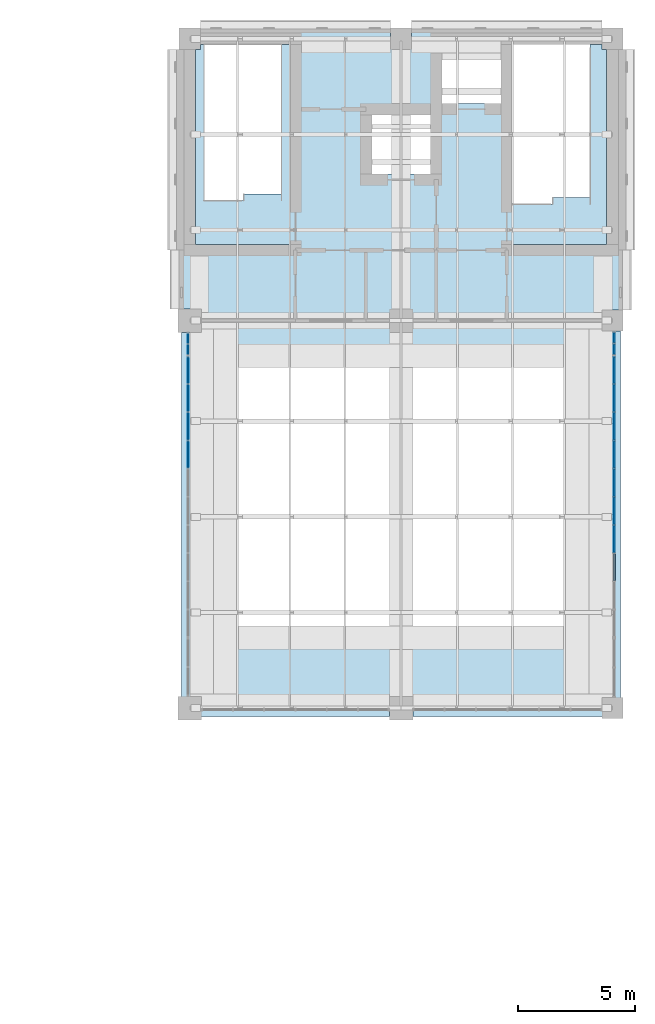
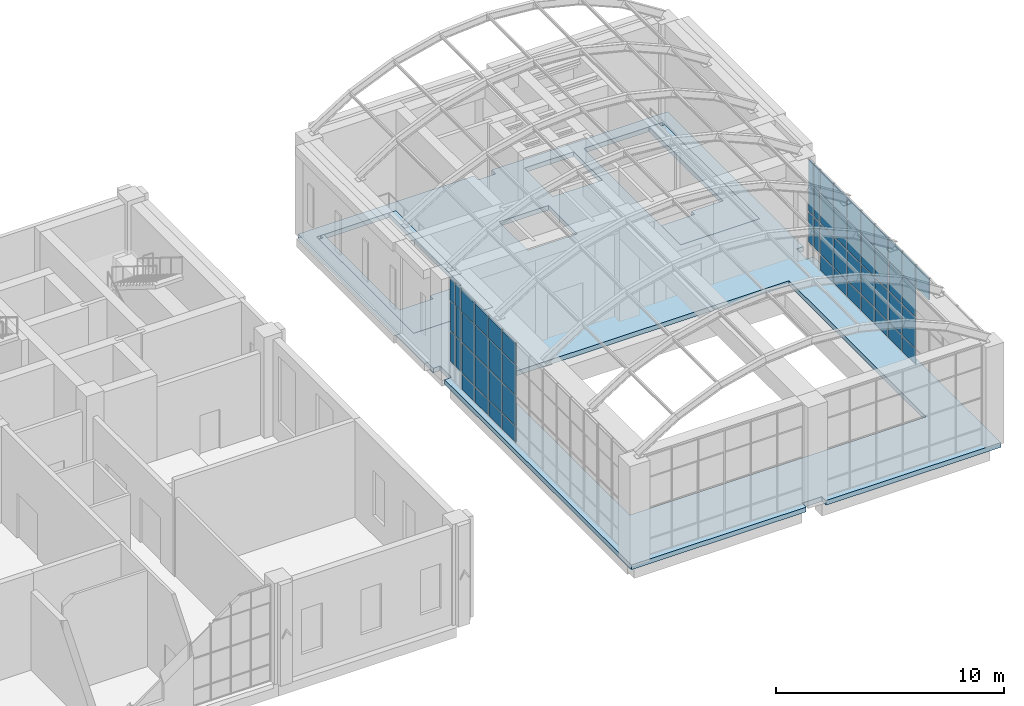
# One storey, part 21 of 39: 57 plates, 3 slabs, 4 elements without a shape of their own.
"""IFC4 building model written with IfcOpenShell, lengths in metres."""

from ifc_helpers import new_model, si_unit, direction, frame, origin, origin_2d, place, context, subcontext, project, spatial, polyline, rectangle, outline, extrude, material, layer, layer_set, type_object, element, aggregate, save


model = new_model("IFC4")

# Units and contexts
model_context = context("Model", 3, precision=1e-05, world=origin(), true_north=direction((0.0, 1.0)))
body_context = subcontext(model_context, "Body", "Model", "MODEL_VIEW")
ifc_project = project(units=[si_unit("LENGTHUNIT", "METRE"), si_unit("AREAUNIT", "SQUARE_METRE"), si_unit("VOLUMEUNIT", "CUBIC_METRE"), si_unit("PLANEANGLEUNIT", "RADIAN"), si_unit("MASSUNIT", "GRAM", prefix="KILO")], contexts=[model_context])

# Site, building, storey
site_placement = place(None, origin())
site = spatial("IfcSite", under=ifc_project, at=site_placement, CompositionType="ELEMENT")
building_placement = place(site_placement, origin())
building = spatial("IfcBuilding", under=site, at=building_placement, Name="Aurelan Courthouse", CompositionType="ELEMENT")
storey_placement = place(building_placement, frame((0.0, 0.0, 28.199951171875)))
storey = spatial("IfcBuildingStorey", under=building, at=storey_placement, Name="L05", CompositionType="ELEMENT", Elevation=28.199951171875)

# Curtain wall, plates
ifc_material_1 = material(Name="Bronze-finished aluminium and glass", Category="aluminium")
ifc_layer_1 = layer(ifc_material_1, 0.14990234375)
ifc_layer_set_1 = layer_set([ifc_layer_1], Name="Bronze-finished aluminium and glass")
curtain_wall_type_1 = type_object("IfcCurtainWallType", Name="Curtain wall 12000 x 5400", PredefinedType="NOTDEFINED", material=ifc_layer_set_1)
curtain_wall_1_placement = place(storey_placement, origin())
curtain_wall_1 = element("IfcCurtainWall", 1, at=curtain_wall_1_placement, inside=storey, type_object=curtain_wall_type_1, Name="Curtain wall CW-V3-L05-E02", PredefinedType="NOTDEFINED")
ifc_material_2 = material(Name="Bronze-finished aluminium", Category="aluminium")
ifc_layer_2 = layer(ifc_material_2, 0.070068359375)
ifc_layer_set_2 = layer_set([ifc_layer_2], Name="Bronze-finished aluminium")
plate_type_1 = type_object("IfcPlateType", Name="Bronze spandrel panel 70", PredefinedType="CURTAIN_PANEL", material=ifc_layer_set_2)
plate_1_placement = place(storey_placement, frame((90.074951171875, 43.5, 4.22998046875), z_axis=(0.0, 0.0, 1.0), x_axis=(0.0, 1.0, 0.0)))
plate_1 = element("IfcPlate", 2, at=plate_1_placement, type_object=plate_type_1, Name="CW-V3-L05-E02 spandrel panel 3.4", PredefinedType="CURTAIN_PANEL", context=body_context, shape_type="SweptSolid", body=[
    extrude(rectangle(XDim=1.139892578125, YDim=0.070068359375, at=origin_2d()), origin(), (0.0, 0.0, 1.0), 1.110107421875),
])
plate_2_placement = place(storey_placement, frame((90.074951171875, 44.699951171875, 4.22998046875), z_axis=(0.0, 0.0, 1.0), x_axis=(0.0, 1.0, 0.0)))
plate_2 = element("IfcPlate", 3, at=plate_2_placement, type_object=plate_type_1, Name="CW-V3-L05-E02 spandrel panel 4.4", PredefinedType="CURTAIN_PANEL", context=body_context, shape_type="SweptSolid", body=[
    extrude(rectangle(XDim=1.139892578125, YDim=0.070068359375, at=origin_2d()), origin(), (0.0, 0.0, 1.0), 1.110107421875),
])
plate_3_placement = place(storey_placement, frame((90.074951171875, 45.89990234375, 4.22998046875), z_axis=(0.0, 0.0, 1.0), x_axis=(0.0, 1.0, 0.0)))
plate_3 = element("IfcPlate", 4, at=plate_3_placement, type_object=plate_type_1, Name="CW-V3-L05-E02 spandrel panel 5.4", PredefinedType="CURTAIN_PANEL", context=body_context, shape_type="SweptSolid", body=[
    extrude(rectangle(XDim=1.139892578125, YDim=0.070068359375, at=origin_2d()), origin(), (0.0, 0.0, 1.0), 1.110107421875),
])
plate_4_placement = place(storey_placement, frame((90.074951171875, 47.10009765625, 4.22998046875), z_axis=(0.0, 0.0, 1.0), x_axis=(0.0, 1.0, 0.0)))
plate_4 = element("IfcPlate", 5, at=plate_4_placement, type_object=plate_type_1, Name="CW-V3-L05-E02 spandrel panel 6.4", PredefinedType="CURTAIN_PANEL", context=body_context, shape_type="SweptSolid", body=[
    extrude(rectangle(XDim=1.139892578125, YDim=0.070068359375, at=origin_2d()), origin(), (0.0, 0.0, 1.0), 1.110107421875),
])
plate_5_placement = place(storey_placement, frame((90.074951171875, 48.300048828125, 4.22998046875), z_axis=(0.0, 0.0, 1.0), x_axis=(0.0, 1.0, 0.0)))
plate_5 = element("IfcPlate", 6, at=plate_5_placement, type_object=plate_type_1, Name="CW-V3-L05-E02 spandrel panel 7.4", PredefinedType="CURTAIN_PANEL", context=body_context, shape_type="SweptSolid", body=[
    extrude(rectangle(XDim=1.139892578125, YDim=0.070068359375, at=origin_2d()), origin(), (0.0, 0.0, 1.0), 1.110107421875),
])
plate_6_placement = place(storey_placement, frame((90.074951171875, 49.5, 4.22998046875), z_axis=(0.0, 0.0, 1.0), x_axis=(0.0, 1.0, 0.0)))
plate_6 = element("IfcPlate", 7, at=plate_6_placement, type_object=plate_type_1, Name="CW-V3-L05-E02 spandrel panel 8.4", PredefinedType="CURTAIN_PANEL", context=body_context, shape_type="SweptSolid", body=[
    extrude(rectangle(XDim=1.139892578125, YDim=0.070068359375, at=origin_2d()), origin(), (0.0, 0.0, 1.0), 1.110107421875),
])
plate_7_placement = place(storey_placement, frame((90.074951171875, 50.699951171875, 4.22998046875), z_axis=(0.0, 0.0, 1.0), x_axis=(0.0, 1.0, 0.0)))
plate_7 = element("IfcPlate", 8, at=plate_7_placement, type_object=plate_type_1, Name="CW-V3-L05-E02 spandrel panel 9.4", PredefinedType="CURTAIN_PANEL", context=body_context, shape_type="SweptSolid", body=[
    extrude(rectangle(XDim=1.139892578125, YDim=0.070068359375, at=origin_2d()), origin(), (0.0, 0.0, 1.0), 1.110107421875),
])
plate_8_placement = place(storey_placement, frame((90.074951171875, 51.885009765625, 4.22998046875), z_axis=(0.0, 0.0, 1.0), x_axis=(0.0, 1.0, 0.0)))
plate_8 = element("IfcPlate", 9, at=plate_8_placement, type_object=plate_type_1, Name="CW-V3-L05-E02 spandrel panel 10.4", PredefinedType="CURTAIN_PANEL", context=body_context, shape_type="SweptSolid", body=[
    extrude(rectangle(XDim=1.110107421875, YDim=0.070068359375, at=origin_2d()), origin(), (0.0, 0.0, 1.0), 1.110107421875),
])

ifc_layer_3 = layer(ifc_material_1, 0.14990234375)
ifc_layer_set_3 = layer_set([ifc_layer_3], Name="Bronze-finished aluminium and glass")
curtain_wall_type_2 = type_object("IfcCurtainWallType", Name="Curtain wall 1050 x 5400", PredefinedType="NOTDEFINED", material=ifc_layer_set_3)
curtain_wall_2_placement = place(storey_placement, origin())
curtain_wall_2 = element("IfcCurtainWall", 10, at=curtain_wall_2_placement, inside=storey, type_object=curtain_wall_type_2, Name="Curtain wall CW-V3-L05-E03", PredefinedType="NOTDEFINED")
plate_9_placement = place(storey_placement, frame((90.074951171875, 52.777587890625, 4.22998046875), z_axis=(0.0, 0.0, 1.0), x_axis=(0.0, 1.0, 0.0)))
plate_9 = element("IfcPlate", 11, at=plate_9_placement, type_object=plate_type_1, Name="CW-V3-L05-E03 spandrel panel 1.4", PredefinedType="CURTAIN_PANEL", context=body_context, shape_type="SweptSolid", body=[
    extrude(rectangle(XDim=0.43505859375, YDim=0.070068359375, at=origin_2d()), origin(), (0.0, 0.0, 1.0), 1.110107421875),
])
plate_10_placement = place(storey_placement, frame((90.074951171875, 53.2724609375, 4.22998046875), z_axis=(0.0, 0.0, 1.0), x_axis=(0.0, 1.0, 0.0)))
plate_10 = element("IfcPlate", 12, at=plate_10_placement, type_object=plate_type_1, Name="CW-V3-L05-E03 spandrel panel 2.4", PredefinedType="CURTAIN_PANEL", context=body_context, shape_type="SweptSolid", body=[
    extrude(rectangle(XDim=0.43505859375, YDim=0.070068359375, at=origin_2d()), origin(), (0.0, 0.0, 1.0), 1.110107421875),
])

curtain_wall_3_placement = place(storey_placement, origin())
curtain_wall_3 = element("IfcCurtainWall", 13, at=curtain_wall_3_placement, inside=storey, type_object=curtain_wall_type_1, Name="Curtain wall CW-V3-L05-W02", PredefinedType="NOTDEFINED")
plate_11_placement = place(storey_placement, frame((71.925048828125, 48.300048828125, 4.22998046875), z_axis=(0.0, 0.0, 1.0), x_axis=(0.0, 1.0, 0.0)))
plate_11 = element("IfcPlate", 14, at=plate_11_placement, type_object=plate_type_1, Name="CW-V3-L05-W02 spandrel panel 7.4", PredefinedType="CURTAIN_PANEL", context=body_context, shape_type="SweptSolid", body=[
    extrude(rectangle(XDim=1.139892578125, YDim=0.070068359375, at=origin_2d()), origin(), (0.0, 0.0, 1.0), 1.110107421875),
])
plate_12_placement = place(storey_placement, frame((71.925048828125, 49.5, 4.22998046875), z_axis=(0.0, 0.0, 1.0), x_axis=(0.0, 1.0, 0.0)))
plate_12 = element("IfcPlate", 15, at=plate_12_placement, type_object=plate_type_1, Name="CW-V3-L05-W02 spandrel panel 8.4", PredefinedType="CURTAIN_PANEL", context=body_context, shape_type="SweptSolid", body=[
    extrude(rectangle(XDim=1.139892578125, YDim=0.070068359375, at=origin_2d()), origin(), (0.0, 0.0, 1.0), 1.110107421875),
])
plate_13_placement = place(storey_placement, frame((71.925048828125, 50.699951171875, 4.22998046875), z_axis=(0.0, 0.0, 1.0), x_axis=(0.0, 1.0, 0.0)))
plate_13 = element("IfcPlate", 16, at=plate_13_placement, type_object=plate_type_1, Name="CW-V3-L05-W02 spandrel panel 9.4", PredefinedType="CURTAIN_PANEL", context=body_context, shape_type="SweptSolid", body=[
    extrude(rectangle(XDim=1.139892578125, YDim=0.070068359375, at=origin_2d()), origin(), (0.0, 0.0, 1.0), 1.110107421875),
])
plate_14_placement = place(storey_placement, frame((71.925048828125, 51.885009765625, 4.22998046875), z_axis=(0.0, 0.0, 1.0), x_axis=(0.0, 1.0, 0.0)))
plate_14 = element("IfcPlate", 17, at=plate_14_placement, type_object=plate_type_1, Name="CW-V3-L05-W02 spandrel panel 10.4", PredefinedType="CURTAIN_PANEL", context=body_context, shape_type="SweptSolid", body=[
    extrude(rectangle(XDim=1.110107421875, YDim=0.070068359375, at=origin_2d()), origin(), (0.0, 0.0, 1.0), 1.110107421875),
])

ifc_layer_4 = layer(ifc_material_1, 0.14990234375)
ifc_layer_set_4 = layer_set([ifc_layer_4], Name="Bronze-finished aluminium and glass")
curtain_wall_type_3 = type_object("IfcCurtainWallType", Name="Curtain wall 1000 x 5400", PredefinedType="NOTDEFINED", material=ifc_layer_set_4)
curtain_wall_4_placement = place(storey_placement, origin())
curtain_wall_4 = element("IfcCurtainWall", 18, at=curtain_wall_4_placement, inside=storey, type_object=curtain_wall_type_3, Name="Curtain wall CW-V3-L05-W03", PredefinedType="NOTDEFINED")
plate_15_placement = place(storey_placement, frame((71.925048828125, 52.764892578125, 4.22998046875), z_axis=(0.0, 0.0, 1.0), x_axis=(0.0, 1.0, 0.0)))
plate_15 = element("IfcPlate", 19, at=plate_15_placement, type_object=plate_type_1, Name="CW-V3-L05-W03 spandrel panel 1.4", PredefinedType="CURTAIN_PANEL", context=body_context, shape_type="SweptSolid", body=[
    extrude(rectangle(XDim=0.409912109375, YDim=0.070068359375, at=origin_2d()), origin(), (0.0, 0.0, 1.0), 1.110107421875),
])
plate_16_placement = place(storey_placement, frame((71.925048828125, 53.235107421875, 4.22998046875), z_axis=(0.0, 0.0, 1.0), x_axis=(0.0, 1.0, 0.0)))
plate_16 = element("IfcPlate", 20, at=plate_16_placement, type_object=plate_type_1, Name="CW-V3-L05-W03 spandrel panel 2.4", PredefinedType="CURTAIN_PANEL", context=body_context, shape_type="SweptSolid", body=[
    extrude(rectangle(XDim=0.409912109375, YDim=0.070068359375, at=origin_2d()), origin(), (0.0, 0.0, 1.0), 1.110107421875),
])

# Slab
ifc_material_3 = material(Name="Concrete C40", Category="concrete")
ifc_layer_5 = layer(ifc_material_3, 0.25)
ifc_layer_set_5 = layer_set([ifc_layer_5], Name="Concrete C40")
slab_type_1 = type_object("IfcSlabType", Name="PT floor slab 250", PredefinedType="FLOOR", material=ifc_layer_set_5)
slab_1_placement = place(storey_placement, frame((0.0, 0.0, -0.25)))
element("IfcSlab", 21, at=slab_1_placement, inside=storey, type_object=slab_type_1, Name="Floor slab SL-L05-02", PredefinedType="FLOOR", context=body_context, shape_type="SweptSolid", body=[
    extrude(outline(polyline([(72.0, 53.5), (71.64990234375, 53.5), (71.64990234375, 38.0), (71.64990234375, 37.14990234375), (72.5, 37.14990234375), (80.5, 37.14990234375), (80.5, 37.5), (81.5, 37.5), (81.5, 37.14990234375), (89.550048828125, 37.14990234375), (90.35009765625, 37.14990234375), (90.35009765625, 37.949951171875), (90.35009765625, 53.550048828125), (90.0, 53.550048828125), (90.0, 54.449951171875), (90.35009765625, 54.449951171875), (90.35009765625, 65.550048828125), (90.35009765625, 66.35009765625), (89.550048828125, 66.35009765625), (81.449951171875, 66.35009765625), (81.449951171875, 66.0), (80.550048828125, 66.0), (80.550048828125, 66.35009765625), (72.449951171875, 66.35009765625), (71.64990234375, 66.35009765625), (71.64990234375, 65.550048828125), (71.64990234375, 54.5), (72.0, 54.5), (72.0, 53.5)]), holes=[polyline([(85.75, 57.25), (85.75, 65.75), (89.75, 65.75), (89.75, 57.25), (85.75, 57.25)]), polyline([(73.5, 40.5), (73.5, 52.5), (88.5, 52.5), (88.5, 40.5), (73.5, 40.5)]), polyline([(82.75, 65.75), (85.25, 65.75), (85.25, 63.25), (82.75, 63.25), (82.75, 65.75)]), polyline([(82.25, 62.75), (82.25, 60.25), (79.75, 60.25), (79.75, 62.75), (82.25, 62.75)]), polyline([(76.25, 57.25), (72.25, 57.25), (72.25, 65.75), (76.25, 65.75), (76.25, 57.25)])]), origin(), (0.0, 0.0, 1.0), 0.25),
])

# Plate
ifc_layer_6 = layer(ifc_material_2, 0.0400390625)
ifc_layer_set_6 = layer_set([ifc_layer_6], Name="Bronze-finished aluminium")
plate_type_2 = type_object("IfcPlateType", Name="Sill panel 40", PredefinedType="CURTAIN_PANEL", material=ifc_layer_set_6)
plate_17_placement = place(storey_placement, frame((90.074951171875, 44.699951171875, 0.06005859375), z_axis=(0.0, 0.0, 1.0), x_axis=(0.0, 1.0, 0.0)))
plate_17 = element("IfcPlate", 22, at=plate_17_placement, type_object=plate_type_2, Name="CW-V3-L05-E02 sill panel 4.1", PredefinedType="CURTAIN_PANEL", context=body_context, shape_type="SweptSolid", body=[
    extrude(rectangle(XDim=1.139892578125, YDim=0.0400390625, at=origin_2d()), origin(), (0.0, 0.0, 1.0), 0.81005859375),
])

plate_18_placement = place(storey_placement, frame((90.074951171875, 45.89990234375, 0.06005859375), z_axis=(0.0, 0.0, 1.0), x_axis=(0.0, 1.0, 0.0)))
plate_18 = element("IfcPlate", 23, at=plate_18_placement, type_object=plate_type_2, Name="CW-V3-L05-E02 sill panel 5.1", PredefinedType="CURTAIN_PANEL", context=body_context, shape_type="SweptSolid", body=[
    extrude(rectangle(XDim=1.139892578125, YDim=0.0400390625, at=origin_2d()), origin(), (0.0, 0.0, 1.0), 0.81005859375),
])

plate_19_placement = place(storey_placement, frame((90.074951171875, 47.10009765625, 0.06005859375), z_axis=(0.0, 0.0, 1.0), x_axis=(0.0, 1.0, 0.0)))
plate_19 = element("IfcPlate", 24, at=plate_19_placement, type_object=plate_type_2, Name="CW-V3-L05-E02 sill panel 6.1", PredefinedType="CURTAIN_PANEL", context=body_context, shape_type="SweptSolid", body=[
    extrude(rectangle(XDim=1.139892578125, YDim=0.0400390625, at=origin_2d()), origin(), (0.0, 0.0, 1.0), 0.81005859375),
])

plate_20_placement = place(storey_placement, frame((90.074951171875, 48.300048828125, 0.06005859375), z_axis=(0.0, 0.0, 1.0), x_axis=(0.0, 1.0, 0.0)))
plate_20 = element("IfcPlate", 25, at=plate_20_placement, type_object=plate_type_2, Name="CW-V3-L05-E02 sill panel 7.1", PredefinedType="CURTAIN_PANEL", context=body_context, shape_type="SweptSolid", body=[
    extrude(rectangle(XDim=1.139892578125, YDim=0.0400390625, at=origin_2d()), origin(), (0.0, 0.0, 1.0), 0.81005859375),
])

plate_21_placement = place(storey_placement, frame((90.074951171875, 49.5, 0.06005859375), z_axis=(0.0, 0.0, 1.0), x_axis=(0.0, 1.0, 0.0)))
plate_21 = element("IfcPlate", 26, at=plate_21_placement, type_object=plate_type_2, Name="CW-V3-L05-E02 sill panel 8.1", PredefinedType="CURTAIN_PANEL", context=body_context, shape_type="SweptSolid", body=[
    extrude(rectangle(XDim=1.139892578125, YDim=0.0400390625, at=origin_2d()), origin(), (0.0, 0.0, 1.0), 0.81005859375),
])

plate_22_placement = place(storey_placement, frame((90.074951171875, 50.699951171875, 0.06005859375), z_axis=(0.0, 0.0, 1.0), x_axis=(0.0, 1.0, 0.0)))
plate_22 = element("IfcPlate", 27, at=plate_22_placement, type_object=plate_type_2, Name="CW-V3-L05-E02 sill panel 9.1", PredefinedType="CURTAIN_PANEL", context=body_context, shape_type="SweptSolid", body=[
    extrude(rectangle(XDim=1.139892578125, YDim=0.0400390625, at=origin_2d()), origin(), (0.0, 0.0, 1.0), 0.81005859375),
])

plate_23_placement = place(storey_placement, frame((90.074951171875, 51.885009765625, 0.06005859375), z_axis=(0.0, 0.0, 1.0), x_axis=(0.0, 1.0, 0.0)))
plate_23 = element("IfcPlate", 28, at=plate_23_placement, type_object=plate_type_2, Name="CW-V3-L05-E02 sill panel 10.1", PredefinedType="CURTAIN_PANEL", context=body_context, shape_type="SweptSolid", body=[
    extrude(rectangle(XDim=1.110107421875, YDim=0.0400390625, at=origin_2d()), origin(), (0.0, 0.0, 1.0), 0.81005859375),
])

plate_24_placement = place(storey_placement, frame((71.925048828125, 48.300048828125, 0.06005859375), z_axis=(0.0, 0.0, 1.0), x_axis=(0.0, 1.0, 0.0)))
plate_24 = element("IfcPlate", 29, at=plate_24_placement, type_object=plate_type_2, Name="CW-V3-L05-W02 sill panel 7.1", PredefinedType="CURTAIN_PANEL", context=body_context, shape_type="SweptSolid", body=[
    extrude(rectangle(XDim=1.139892578125, YDim=0.0400390625, at=origin_2d()), origin(), (0.0, 0.0, 1.0), 0.81005859375),
])

plate_25_placement = place(storey_placement, frame((71.925048828125, 49.5, 0.06005859375), z_axis=(0.0, 0.0, 1.0), x_axis=(0.0, 1.0, 0.0)))
plate_25 = element("IfcPlate", 30, at=plate_25_placement, type_object=plate_type_2, Name="CW-V3-L05-W02 sill panel 8.1", PredefinedType="CURTAIN_PANEL", context=body_context, shape_type="SweptSolid", body=[
    extrude(rectangle(XDim=1.139892578125, YDim=0.0400390625, at=origin_2d()), origin(), (0.0, 0.0, 1.0), 0.81005859375),
])

plate_26_placement = place(storey_placement, frame((71.925048828125, 50.699951171875, 0.06005859375), z_axis=(0.0, 0.0, 1.0), x_axis=(0.0, 1.0, 0.0)))
plate_26 = element("IfcPlate", 31, at=plate_26_placement, type_object=plate_type_2, Name="CW-V3-L05-W02 sill panel 9.1", PredefinedType="CURTAIN_PANEL", context=body_context, shape_type="SweptSolid", body=[
    extrude(rectangle(XDim=1.139892578125, YDim=0.0400390625, at=origin_2d()), origin(), (0.0, 0.0, 1.0), 0.81005859375),
])

plate_27_placement = place(storey_placement, frame((71.925048828125, 51.885009765625, 0.06005859375), z_axis=(0.0, 0.0, 1.0), x_axis=(0.0, 1.0, 0.0)))
plate_27 = element("IfcPlate", 32, at=plate_27_placement, type_object=plate_type_2, Name="CW-V3-L05-W02 sill panel 10.1", PredefinedType="CURTAIN_PANEL", context=body_context, shape_type="SweptSolid", body=[
    extrude(rectangle(XDim=1.110107421875, YDim=0.0400390625, at=origin_2d()), origin(), (0.0, 0.0, 1.0), 0.81005859375),
])

# Slabs
ifc_material_4 = material(Name="Concrete C30", Category="concrete")
ifc_layer_7 = layer(ifc_material_4, 0.25)
ifc_layer_set_7 = layer_set([ifc_layer_7], Name="Concrete C30")
slab_type_2 = type_object("IfcSlabType", Name="Stair floor landing 250 thick", PredefinedType="LANDING", material=ifc_layer_set_7)
slab_2_placement = place(storey_placement, frame((0.0, 0.0, -0.25)))
element("IfcSlab", 33, at=slab_2_placement, inside=storey, type_object=slab_type_2, Name="Stair ST-3A landing L05", PredefinedType="LANDING", context=body_context, shape_type="SweptSolid", body=[
    extrude(outline(polyline([(72.60009765625, 59.111083984375), (74.300048828125, 59.111083984375), (74.300048828125, 59.39111328125), (75.89990234375, 59.39111328125), (75.89990234375, 65.75), (76.25, 65.75), (76.25, 57.25), (72.25, 57.25), (72.25, 65.550048828125), (72.449951171875, 65.550048828125), (72.449951171875, 65.75), (72.60009765625, 65.75), (72.60009765625, 59.111083984375)])), origin(), (0.0, 0.0, 1.0), 0.25),
])
slab_3_placement = place(storey_placement, frame((0.0, 0.0, -0.25)))
element("IfcSlab", 34, at=slab_3_placement, inside=storey, type_object=slab_type_2, Name="Stair ST-3B landing L05", PredefinedType="LANDING", context=body_context, shape_type="SweptSolid", body=[
    extrude(outline(polyline([(89.050048828125, 59.240966796875), (89.050048828125, 65.590087890625), (89.050048828125, 65.60009765625), (89.050048828125, 65.75), (89.550048828125, 65.75), (89.550048828125, 65.550048828125), (89.75, 65.550048828125), (89.75, 57.25), (89.60009765625, 57.25), (89.590087890625, 57.25), (85.75, 57.25), (85.75, 58.9609375), (87.449951171875, 58.9609375), (87.449951171875, 59.240966796875), (89.050048828125, 59.240966796875)])), origin(), (0.0, 0.0, 1.0), 0.25),
])

# Plate
ifc_material_5 = material(Name="Laminated low-emissivity glass", Category="glass")
ifc_layer_8 = layer(ifc_material_5, 0.031982421875)
ifc_layer_set_8 = layer_set([ifc_layer_8], Name="Laminated low-emissivity glass")
plate_type_3 = type_object("IfcPlateType", Name="Vision glass panel 32", PredefinedType="CURTAIN_PANEL", material=ifc_layer_set_8)
plate_28_placement = place(storey_placement, frame((90.074951171875, 44.699951171875, 0.93017578125), z_axis=(0.0, 0.0, 1.0), x_axis=(0.0, 1.0, 0.0)))
plate_28 = element("IfcPlate", 35, at=plate_28_placement, type_object=plate_type_3, Name="CW-V3-L05-E02 vision panel 4.2", PredefinedType="CURTAIN_PANEL", context=body_context, shape_type="SweptSolid", body=[
    extrude(rectangle(XDim=1.139892578125, YDim=0.031982421875, at=origin_2d()), origin(), (0.0, 0.0, 1.0), 1.590087890625),
])

plate_29_placement = place(storey_placement, frame((90.074951171875, 44.699951171875, 2.580078125), z_axis=(0.0, 0.0, 1.0), x_axis=(0.0, 1.0, 0.0)))
plate_29 = element("IfcPlate", 36, at=plate_29_placement, type_object=plate_type_3, Name="CW-V3-L05-E02 vision panel 4.3", PredefinedType="CURTAIN_PANEL", context=body_context, shape_type="SweptSolid", body=[
    extrude(rectangle(XDim=1.139892578125, YDim=0.031982421875, at=origin_2d()), origin(), (0.0, 0.0, 1.0), 1.590087890625),
])

plate_30_placement = place(storey_placement, frame((90.074951171875, 45.89990234375, 0.93017578125), z_axis=(0.0, 0.0, 1.0), x_axis=(0.0, 1.0, 0.0)))
plate_30 = element("IfcPlate", 37, at=plate_30_placement, type_object=plate_type_3, Name="CW-V3-L05-E02 vision panel 5.2", PredefinedType="CURTAIN_PANEL", context=body_context, shape_type="SweptSolid", body=[
    extrude(rectangle(XDim=1.139892578125, YDim=0.031982421875, at=origin_2d()), origin(), (0.0, 0.0, 1.0), 1.590087890625),
])

plate_31_placement = place(storey_placement, frame((90.074951171875, 45.89990234375, 2.580078125), z_axis=(0.0, 0.0, 1.0), x_axis=(0.0, 1.0, 0.0)))
plate_31 = element("IfcPlate", 38, at=plate_31_placement, type_object=plate_type_3, Name="CW-V3-L05-E02 vision panel 5.3", PredefinedType="CURTAIN_PANEL", context=body_context, shape_type="SweptSolid", body=[
    extrude(rectangle(XDim=1.139892578125, YDim=0.031982421875, at=origin_2d()), origin(), (0.0, 0.0, 1.0), 1.590087890625),
])

plate_32_placement = place(storey_placement, frame((90.074951171875, 47.10009765625, 0.93017578125), z_axis=(0.0, 0.0, 1.0), x_axis=(0.0, 1.0, 0.0)))
plate_32 = element("IfcPlate", 39, at=plate_32_placement, type_object=plate_type_3, Name="CW-V3-L05-E02 vision panel 6.2", PredefinedType="CURTAIN_PANEL", context=body_context, shape_type="SweptSolid", body=[
    extrude(rectangle(XDim=1.139892578125, YDim=0.031982421875, at=origin_2d()), origin(), (0.0, 0.0, 1.0), 1.590087890625),
])

plate_33_placement = place(storey_placement, frame((90.074951171875, 47.10009765625, 2.580078125), z_axis=(0.0, 0.0, 1.0), x_axis=(0.0, 1.0, 0.0)))
plate_33 = element("IfcPlate", 40, at=plate_33_placement, type_object=plate_type_3, Name="CW-V3-L05-E02 vision panel 6.3", PredefinedType="CURTAIN_PANEL", context=body_context, shape_type="SweptSolid", body=[
    extrude(rectangle(XDim=1.139892578125, YDim=0.031982421875, at=origin_2d()), origin(), (0.0, 0.0, 1.0), 1.590087890625),
])

plate_34_placement = place(storey_placement, frame((90.074951171875, 48.300048828125, 0.93017578125), z_axis=(0.0, 0.0, 1.0), x_axis=(0.0, 1.0, 0.0)))
plate_34 = element("IfcPlate", 41, at=plate_34_placement, type_object=plate_type_3, Name="CW-V3-L05-E02 vision panel 7.2", PredefinedType="CURTAIN_PANEL", context=body_context, shape_type="SweptSolid", body=[
    extrude(rectangle(XDim=1.139892578125, YDim=0.031982421875, at=origin_2d()), origin(), (0.0, 0.0, 1.0), 1.590087890625),
])

plate_35_placement = place(storey_placement, frame((90.074951171875, 48.300048828125, 2.580078125), z_axis=(0.0, 0.0, 1.0), x_axis=(0.0, 1.0, 0.0)))
plate_35 = element("IfcPlate", 42, at=plate_35_placement, type_object=plate_type_3, Name="CW-V3-L05-E02 vision panel 7.3", PredefinedType="CURTAIN_PANEL", context=body_context, shape_type="SweptSolid", body=[
    extrude(rectangle(XDim=1.139892578125, YDim=0.031982421875, at=origin_2d()), origin(), (0.0, 0.0, 1.0), 1.590087890625),
])

plate_36_placement = place(storey_placement, frame((90.074951171875, 49.5, 0.93017578125), z_axis=(0.0, 0.0, 1.0), x_axis=(0.0, 1.0, 0.0)))
plate_36 = element("IfcPlate", 43, at=plate_36_placement, type_object=plate_type_3, Name="CW-V3-L05-E02 vision panel 8.2", PredefinedType="CURTAIN_PANEL", context=body_context, shape_type="SweptSolid", body=[
    extrude(rectangle(XDim=1.139892578125, YDim=0.031982421875, at=origin_2d()), origin(), (0.0, 0.0, 1.0), 1.590087890625),
])

plate_37_placement = place(storey_placement, frame((90.074951171875, 49.5, 2.580078125), z_axis=(0.0, 0.0, 1.0), x_axis=(0.0, 1.0, 0.0)))
plate_37 = element("IfcPlate", 44, at=plate_37_placement, type_object=plate_type_3, Name="CW-V3-L05-E02 vision panel 8.3", PredefinedType="CURTAIN_PANEL", context=body_context, shape_type="SweptSolid", body=[
    extrude(rectangle(XDim=1.139892578125, YDim=0.031982421875, at=origin_2d()), origin(), (0.0, 0.0, 1.0), 1.590087890625),
])

plate_38_placement = place(storey_placement, frame((90.074951171875, 50.699951171875, 0.93017578125), z_axis=(0.0, 0.0, 1.0), x_axis=(0.0, 1.0, 0.0)))
plate_38 = element("IfcPlate", 45, at=plate_38_placement, type_object=plate_type_3, Name="CW-V3-L05-E02 vision panel 9.2", PredefinedType="CURTAIN_PANEL", context=body_context, shape_type="SweptSolid", body=[
    extrude(rectangle(XDim=1.139892578125, YDim=0.031982421875, at=origin_2d()), origin(), (0.0, 0.0, 1.0), 1.590087890625),
])

plate_39_placement = place(storey_placement, frame((90.074951171875, 50.699951171875, 2.580078125), z_axis=(0.0, 0.0, 1.0), x_axis=(0.0, 1.0, 0.0)))
plate_39 = element("IfcPlate", 46, at=plate_39_placement, type_object=plate_type_3, Name="CW-V3-L05-E02 vision panel 9.3", PredefinedType="CURTAIN_PANEL", context=body_context, shape_type="SweptSolid", body=[
    extrude(rectangle(XDim=1.139892578125, YDim=0.031982421875, at=origin_2d()), origin(), (0.0, 0.0, 1.0), 1.590087890625),
])

plate_40_placement = place(storey_placement, frame((90.074951171875, 51.885009765625, 0.93017578125), z_axis=(0.0, 0.0, 1.0), x_axis=(0.0, 1.0, 0.0)))
plate_40 = element("IfcPlate", 47, at=plate_40_placement, type_object=plate_type_3, Name="CW-V3-L05-E02 vision panel 10.2", PredefinedType="CURTAIN_PANEL", context=body_context, shape_type="SweptSolid", body=[
    extrude(rectangle(XDim=1.110107421875, YDim=0.031982421875, at=origin_2d()), origin(), (0.0, 0.0, 1.0), 1.590087890625),
])

plate_41_placement = place(storey_placement, frame((90.074951171875, 51.885009765625, 2.580078125), z_axis=(0.0, 0.0, 1.0), x_axis=(0.0, 1.0, 0.0)))
plate_41 = element("IfcPlate", 48, at=plate_41_placement, type_object=plate_type_3, Name="CW-V3-L05-E02 vision panel 10.3", PredefinedType="CURTAIN_PANEL", context=body_context, shape_type="SweptSolid", body=[
    extrude(rectangle(XDim=1.110107421875, YDim=0.031982421875, at=origin_2d()), origin(), (0.0, 0.0, 1.0), 1.590087890625),
])

aggregate(curtain_wall_1, [plate_1, plate_17, plate_28, plate_29, plate_2, plate_18, plate_30, plate_31, plate_3, plate_19, plate_32, plate_33, plate_4, plate_20, plate_34, plate_35, plate_5, plate_21, plate_36, plate_37, plate_6, plate_22, plate_38, plate_39, plate_7, plate_23, plate_40, plate_41, plate_8])

plate_42_placement = place(storey_placement, frame((90.074951171875, 52.777587890625, 0.93017578125), z_axis=(0.0, 0.0, 1.0), x_axis=(0.0, 1.0, 0.0)))
plate_42 = element("IfcPlate", 49, at=plate_42_placement, type_object=plate_type_3, Name="CW-V3-L05-E03 vision panel 1.2", PredefinedType="CURTAIN_PANEL", context=body_context, shape_type="SweptSolid", body=[
    extrude(rectangle(XDim=0.43505859375, YDim=0.031982421875, at=origin_2d()), origin(), (0.0, 0.0, 1.0), 1.590087890625),
])

plate_43_placement = place(storey_placement, frame((90.074951171875, 52.777587890625, 2.580078125), z_axis=(0.0, 0.0, 1.0), x_axis=(0.0, 1.0, 0.0)))
plate_43 = element("IfcPlate", 50, at=plate_43_placement, type_object=plate_type_3, Name="CW-V3-L05-E03 vision panel 1.3", PredefinedType="CURTAIN_PANEL", context=body_context, shape_type="SweptSolid", body=[
    extrude(rectangle(XDim=0.43505859375, YDim=0.031982421875, at=origin_2d()), origin(), (0.0, 0.0, 1.0), 1.590087890625),
])

plate_44_placement = place(storey_placement, frame((90.074951171875, 53.2724609375, 0.93017578125), z_axis=(0.0, 0.0, 1.0), x_axis=(0.0, 1.0, 0.0)))
plate_44 = element("IfcPlate", 51, at=plate_44_placement, type_object=plate_type_3, Name="CW-V3-L05-E03 vision panel 2.2", PredefinedType="CURTAIN_PANEL", context=body_context, shape_type="SweptSolid", body=[
    extrude(rectangle(XDim=0.43505859375, YDim=0.031982421875, at=origin_2d()), origin(), (0.0, 0.0, 1.0), 1.590087890625),
])

plate_45_placement = place(storey_placement, frame((90.074951171875, 53.2724609375, 2.580078125), z_axis=(0.0, 0.0, 1.0), x_axis=(0.0, 1.0, 0.0)))
plate_45 = element("IfcPlate", 52, at=plate_45_placement, type_object=plate_type_3, Name="CW-V3-L05-E03 vision panel 2.3", PredefinedType="CURTAIN_PANEL", context=body_context, shape_type="SweptSolid", body=[
    extrude(rectangle(XDim=0.43505859375, YDim=0.031982421875, at=origin_2d()), origin(), (0.0, 0.0, 1.0), 1.590087890625),
])

aggregate(curtain_wall_2, [plate_42, plate_43, plate_9, plate_44, plate_45, plate_10])

plate_46_placement = place(storey_placement, frame((71.925048828125, 48.300048828125, 0.93017578125), z_axis=(0.0, 0.0, 1.0), x_axis=(0.0, 1.0, 0.0)))
plate_46 = element("IfcPlate", 53, at=plate_46_placement, type_object=plate_type_3, Name="CW-V3-L05-W02 vision panel 7.2", PredefinedType="CURTAIN_PANEL", context=body_context, shape_type="SweptSolid", body=[
    extrude(rectangle(XDim=1.139892578125, YDim=0.031982421875, at=origin_2d()), origin(), (0.0, 0.0, 1.0), 1.590087890625),
])

plate_47_placement = place(storey_placement, frame((71.925048828125, 48.300048828125, 2.580078125), z_axis=(0.0, 0.0, 1.0), x_axis=(0.0, 1.0, 0.0)))
plate_47 = element("IfcPlate", 54, at=plate_47_placement, type_object=plate_type_3, Name="CW-V3-L05-W02 vision panel 7.3", PredefinedType="CURTAIN_PANEL", context=body_context, shape_type="SweptSolid", body=[
    extrude(rectangle(XDim=1.139892578125, YDim=0.031982421875, at=origin_2d()), origin(), (0.0, 0.0, 1.0), 1.590087890625),
])

plate_48_placement = place(storey_placement, frame((71.925048828125, 49.5, 0.93017578125), z_axis=(0.0, 0.0, 1.0), x_axis=(0.0, 1.0, 0.0)))
plate_48 = element("IfcPlate", 55, at=plate_48_placement, type_object=plate_type_3, Name="CW-V3-L05-W02 vision panel 8.2", PredefinedType="CURTAIN_PANEL", context=body_context, shape_type="SweptSolid", body=[
    extrude(rectangle(XDim=1.139892578125, YDim=0.031982421875, at=origin_2d()), origin(), (0.0, 0.0, 1.0), 1.590087890625),
])

plate_49_placement = place(storey_placement, frame((71.925048828125, 49.5, 2.580078125), z_axis=(0.0, 0.0, 1.0), x_axis=(0.0, 1.0, 0.0)))
plate_49 = element("IfcPlate", 56, at=plate_49_placement, type_object=plate_type_3, Name="CW-V3-L05-W02 vision panel 8.3", PredefinedType="CURTAIN_PANEL", context=body_context, shape_type="SweptSolid", body=[
    extrude(rectangle(XDim=1.139892578125, YDim=0.031982421875, at=origin_2d()), origin(), (0.0, 0.0, 1.0), 1.590087890625),
])

plate_50_placement = place(storey_placement, frame((71.925048828125, 50.699951171875, 0.93017578125), z_axis=(0.0, 0.0, 1.0), x_axis=(0.0, 1.0, 0.0)))
plate_50 = element("IfcPlate", 57, at=plate_50_placement, type_object=plate_type_3, Name="CW-V3-L05-W02 vision panel 9.2", PredefinedType="CURTAIN_PANEL", context=body_context, shape_type="SweptSolid", body=[
    extrude(rectangle(XDim=1.139892578125, YDim=0.031982421875, at=origin_2d()), origin(), (0.0, 0.0, 1.0), 1.590087890625),
])

plate_51_placement = place(storey_placement, frame((71.925048828125, 50.699951171875, 2.580078125), z_axis=(0.0, 0.0, 1.0), x_axis=(0.0, 1.0, 0.0)))
plate_51 = element("IfcPlate", 58, at=plate_51_placement, type_object=plate_type_3, Name="CW-V3-L05-W02 vision panel 9.3", PredefinedType="CURTAIN_PANEL", context=body_context, shape_type="SweptSolid", body=[
    extrude(rectangle(XDim=1.139892578125, YDim=0.031982421875, at=origin_2d()), origin(), (0.0, 0.0, 1.0), 1.590087890625),
])

plate_52_placement = place(storey_placement, frame((71.925048828125, 51.885009765625, 0.93017578125), z_axis=(0.0, 0.0, 1.0), x_axis=(0.0, 1.0, 0.0)))
plate_52 = element("IfcPlate", 59, at=plate_52_placement, type_object=plate_type_3, Name="CW-V3-L05-W02 vision panel 10.2", PredefinedType="CURTAIN_PANEL", context=body_context, shape_type="SweptSolid", body=[
    extrude(rectangle(XDim=1.110107421875, YDim=0.031982421875, at=origin_2d()), origin(), (0.0, 0.0, 1.0), 1.590087890625),
])

plate_53_placement = place(storey_placement, frame((71.925048828125, 51.885009765625, 2.580078125), z_axis=(0.0, 0.0, 1.0), x_axis=(0.0, 1.0, 0.0)))
plate_53 = element("IfcPlate", 60, at=plate_53_placement, type_object=plate_type_3, Name="CW-V3-L05-W02 vision panel 10.3", PredefinedType="CURTAIN_PANEL", context=body_context, shape_type="SweptSolid", body=[
    extrude(rectangle(XDim=1.110107421875, YDim=0.031982421875, at=origin_2d()), origin(), (0.0, 0.0, 1.0), 1.590087890625),
])

aggregate(curtain_wall_3, [plate_24, plate_46, plate_47, plate_11, plate_25, plate_48, plate_49, plate_12, plate_26, plate_50, plate_51, plate_13, plate_27, plate_52, plate_53, plate_14])

plate_54_placement = place(storey_placement, frame((71.925048828125, 52.764892578125, 0.93017578125), z_axis=(0.0, 0.0, 1.0), x_axis=(0.0, 1.0, 0.0)))
plate_54 = element("IfcPlate", 61, at=plate_54_placement, type_object=plate_type_3, Name="CW-V3-L05-W03 vision panel 1.2", PredefinedType="CURTAIN_PANEL", context=body_context, shape_type="SweptSolid", body=[
    extrude(rectangle(XDim=0.409912109375, YDim=0.031982421875, at=origin_2d()), origin(), (0.0, 0.0, 1.0), 1.590087890625),
])

plate_55_placement = place(storey_placement, frame((71.925048828125, 52.764892578125, 2.580078125), z_axis=(0.0, 0.0, 1.0), x_axis=(0.0, 1.0, 0.0)))
plate_55 = element("IfcPlate", 62, at=plate_55_placement, type_object=plate_type_3, Name="CW-V3-L05-W03 vision panel 1.3", PredefinedType="CURTAIN_PANEL", context=body_context, shape_type="SweptSolid", body=[
    extrude(rectangle(XDim=0.409912109375, YDim=0.031982421875, at=origin_2d()), origin(), (0.0, 0.0, 1.0), 1.590087890625),
])

plate_56_placement = place(storey_placement, frame((71.925048828125, 53.235107421875, 0.93017578125), z_axis=(0.0, 0.0, 1.0), x_axis=(0.0, 1.0, 0.0)))
plate_56 = element("IfcPlate", 63, at=plate_56_placement, type_object=plate_type_3, Name="CW-V3-L05-W03 vision panel 2.2", PredefinedType="CURTAIN_PANEL", context=body_context, shape_type="SweptSolid", body=[
    extrude(rectangle(XDim=0.409912109375, YDim=0.031982421875, at=origin_2d()), origin(), (0.0, 0.0, 1.0), 1.590087890625),
])

plate_57_placement = place(storey_placement, frame((71.925048828125, 53.235107421875, 2.580078125), z_axis=(0.0, 0.0, 1.0), x_axis=(0.0, 1.0, 0.0)))
plate_57 = element("IfcPlate", 64, at=plate_57_placement, type_object=plate_type_3, Name="CW-V3-L05-W03 vision panel 2.3", PredefinedType="CURTAIN_PANEL", context=body_context, shape_type="SweptSolid", body=[
    extrude(rectangle(XDim=0.409912109375, YDim=0.031982421875, at=origin_2d()), origin(), (0.0, 0.0, 1.0), 1.590087890625),
])

aggregate(curtain_wall_4, [plate_54, plate_55, plate_15, plate_56, plate_57, plate_16])

save(model, "model.ifc")
